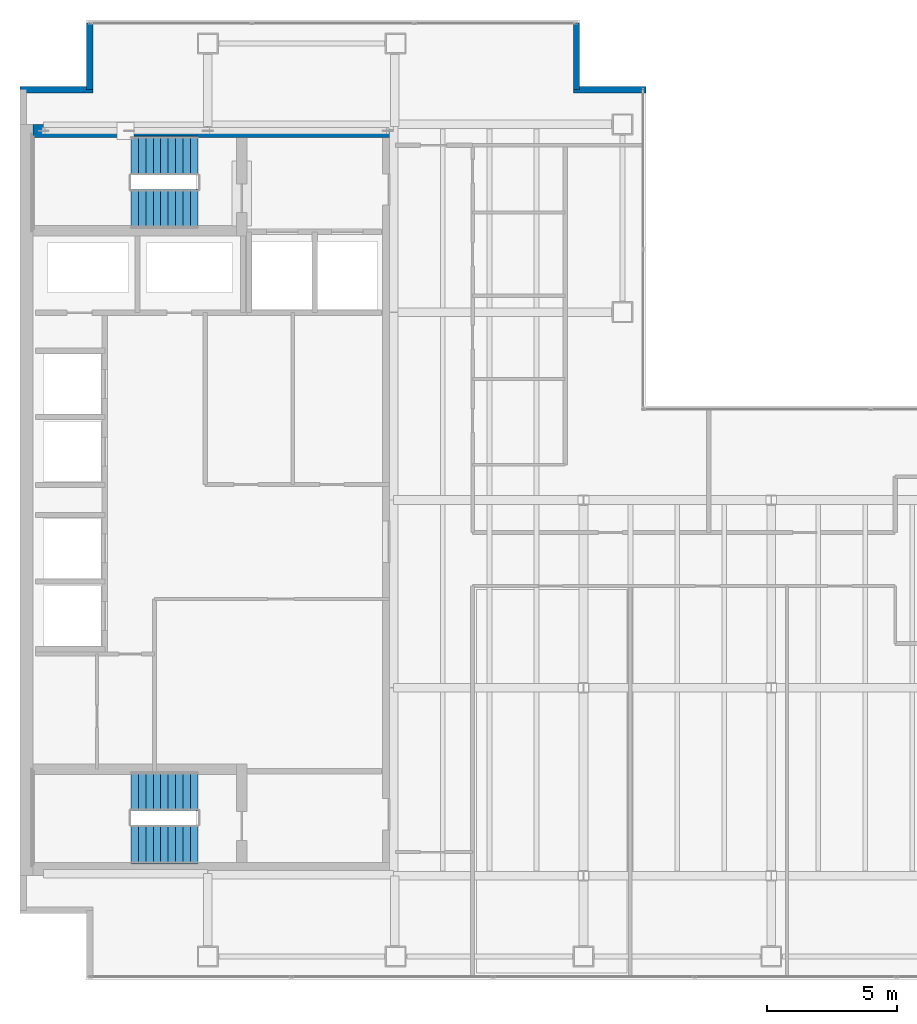
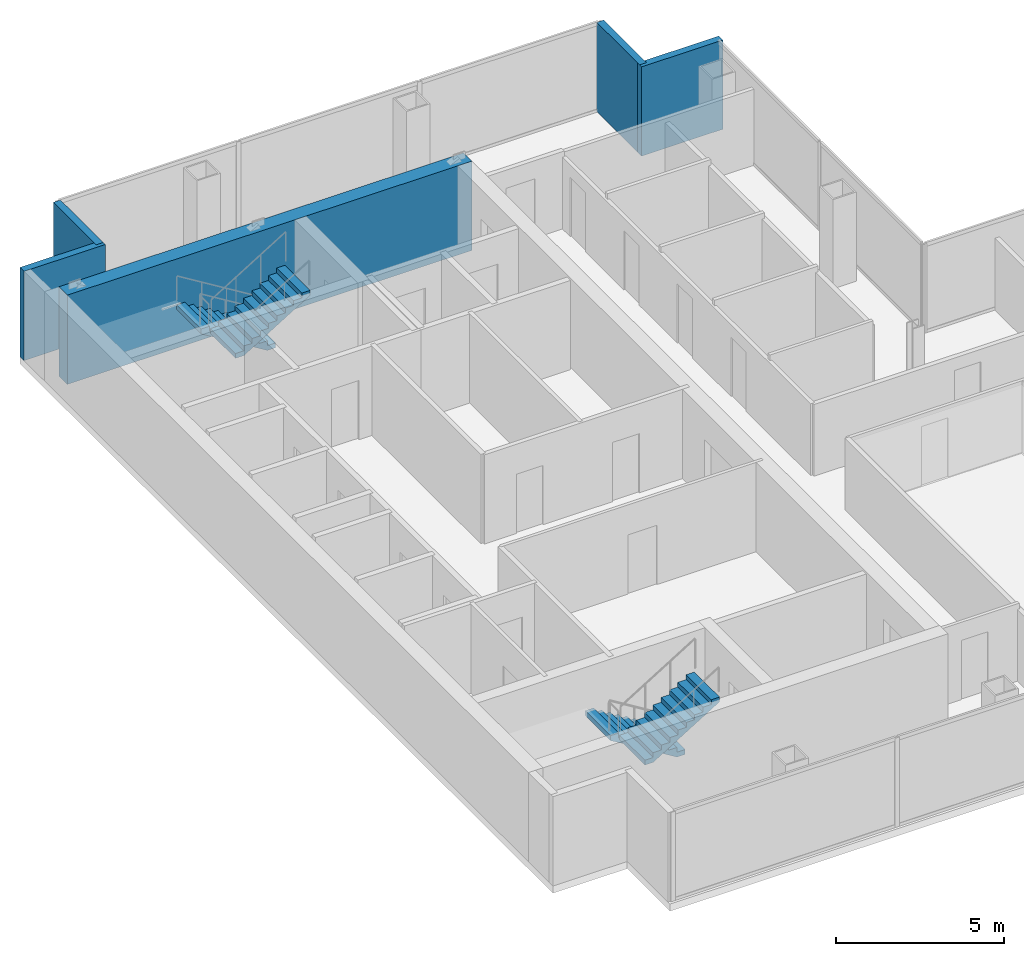
# One storey, part 22 of 23: 5 walls, 4 stair flights, 2 elements without a shape of their own.
"""IFC4 building model written with IfcOpenShell, lengths in metres."""

from ifc_helpers import new_model, si_unit, direction, frame, frame_2d, origin, place, context, subcontext, project, spatial, polyline, rectangle, outline, extrude, material, layer, layer_set, type_object, element, aggregate, save


model = new_model("IFC4")

# Units and contexts
model_context = context("Model", 3, precision=1e-05, world=origin(), true_north=direction((0.0, 1.0)))
body_context = subcontext(model_context, "Body", "Model", "MODEL_VIEW")
ifc_project = project(units=[si_unit("LENGTHUNIT", "METRE"), si_unit("AREAUNIT", "SQUARE_METRE"), si_unit("VOLUMEUNIT", "CUBIC_METRE"), si_unit("PLANEANGLEUNIT", "RADIAN"), si_unit("MASSUNIT", "GRAM", prefix="KILO")], contexts=[model_context])

# Site, building, storey
site_placement = place(None, origin())
site = spatial("IfcSite", under=ifc_project, at=site_placement, CompositionType="ELEMENT")
building_placement = place(site_placement, origin())
building = spatial("IfcBuilding", under=site, at=building_placement, Name="Cobrela Telecom Tower", CompositionType="ELEMENT")
storey_placement = place(building_placement, frame((0.0, 0.0, 187.25)))
storey = spatial("IfcBuildingStorey", under=building, at=storey_placement, Name="L47", CompositionType="ELEMENT", Elevation=187.25)

# Walls
ifc_material = material(Name="Concrete C40/50", Category="concrete")
ifc_layer_1 = layer(ifc_material, 0.5)
ifc_layer_set_1 = layer_set([ifc_layer_1], Name="Concrete C40/50")
wall_type_1 = type_object("IfcWallType", Name="WALL-CORE-C40-500", PredefinedType="SHEAR", material=ifc_layer_set_1)
wall_1_placement = place(storey_placement, frame((0.5, 35.75, 0.0), z_axis=(0.0, 0.0, 1.0), x_axis=(1.0, 0.0, 0.0)))
element("IfcWall", 1, at=wall_1_placement, inside=storey, type_object=wall_type_1, Name="L47 North Core Shear Wall", PredefinedType="SHEAR", context=body_context, shape_type="SweptSolid", body=[
    extrude(rectangle(XDim=13.89990234375, YDim=0.5, at=frame_2d((6.949951171875, 0.0))), origin(), (0.0, 0.0, 1.0), 3.239990234375),
])
ifc_layer_2 = layer(ifc_material, 0.239990234375)
ifc_layer_set_2 = layer_set([ifc_layer_2], Name="Concrete C40/50")
wall_type_2 = type_object("IfcWallType", Name="WALL-EXT-300", PredefinedType="STANDARD", material=ifc_layer_set_2)
wall_2_placement = place(storey_placement, frame((0.0, 37.330078125, 0.0), z_axis=(0.0, 0.0, 1.0), x_axis=(1.0, 0.0, 0.0)))
element("IfcWall", 2, at=wall_2_placement, inside=storey, type_object=wall_type_2, Name="L47 Insulated Facade Wall 05", PredefinedType="STANDARD", context=body_context, shape_type="SweptSolid", body=[
    extrude(rectangle(XDim=2.7900390625, YDim=0.239990234375, at=frame_2d((1.39501953125, 0.0))), origin(), (0.0, 0.0, 1.0), 3.239990234375),
])
for number, where, z_axis, x_axis, name in (
    (3, (2.669921875, 37.330078125, 0.0), (0.0, 0.0, 1.0), (0.0, 1.0, 0.0), "L47 Insulated Facade Wall 06"),
    (4, (21.330078125, 39.8798828125, 0.0), (0.0, 0.0, 1.0), (0.0, -1.0, 0.0), "L47 Insulated Facade Wall 08"),
):
    element("IfcWall", number, at=place(storey_placement, frame(where, z_axis=z_axis, x_axis=x_axis)), inside=storey, type_object=wall_type_2, Name=name, PredefinedType="STANDARD", context=body_context, shape_type="SweptSolid", body=[
        extrude(rectangle(XDim=2.5498046875, YDim=0.239990234375, at=frame_2d((1.27490234375, 0.0))), origin(), (0.0, 0.0, 1.0), 3.239990234375),
    ])
wall_3_placement = place(storey_placement, frame((21.2099609375, 37.330078125, 0.0), z_axis=(0.0, 0.0, 1.0), x_axis=(1.0, 0.0, 0.0)))
element("IfcWall", 5, at=wall_3_placement, inside=storey, type_object=wall_type_2, Name="L47 Insulated Facade Wall 09", PredefinedType="STANDARD", context=body_context, shape_type="SweptSolid", body=[
    extrude(rectangle(XDim=2.7900390625, YDim=0.239990234375, at=frame_2d((1.39501953125, 0.0))), origin(), (0.0, 0.0, 1.0), 3.239990234375),
])

# Stair, stair flights
stair_type = type_object("IfcStairType", Name="STAIR-CORE", PredefinedType="HALF_TURN_STAIR", material=ifc_material)
stair_1_placement = place(storey_placement, origin())
stair_1 = element("IfcStair", 6, at=stair_1_placement, inside=storey, type_object=stair_type, Name="L47 Smokeproof Exit Stair ST1", PredefinedType="HALF_TURN_STAIR")
stair_flight_type = type_object("IfcStairFlightType", Name="FLIGHT-CORE", PredefinedType="STRAIGHT", material=ifc_material)
stair_flight_1_placement = place(storey_placement, frame((6.820068359375, 34.800048828125, 0.0), z_axis=(0.0, 0.0, 1.0), x_axis=(-1.0, 0.0, 0.0)))
stair_flight_1 = element("IfcStairFlight", 7, at=stair_flight_1_placement, type_object=stair_flight_type, Name="ST1 flight 1", NumberOfRisers=10, NumberOfTreads=9, PredefinedType="STRAIGHT", RiserHeight=0.175, TreadLength=0.285, context=body_context, shape_type="SweptSolid", body=[
    extrude(outline(polyline([(0.0, 0.0), (0.0, 0.175048828125), (0.284912109375, 0.175048828125), (0.284912109375, 0.35009765625), (0.570068359375, 0.35009765625), (0.570068359375, 0.52490234375), (0.85498046875, 0.52490234375), (0.85498046875, 0.699951171875), (1.139892578125, 0.699951171875), (1.139892578125, 0.875), (1.425048828125, 0.875), (1.425048828125, 1.050048828125), (1.7099609375, 1.050048828125), (1.7099609375, 1.22509765625), (1.9951171875, 1.22509765625), (1.9951171875, 1.39990234375), (2.280029296875, 1.39990234375), (2.280029296875, 1.574951171875), (2.56494140625, 1.574951171875), (2.56494140625, 1.75), (2.56494140625, 1.399169921875), (0.286376953125, 0.0), (0.0, 0.0)])), frame((0.0, 0.75, 0.0), z_axis=(0.0, -1.0, 0.0), x_axis=(1.0, 0.0, 0.0)), (0.0, 0.0, 1.0), 1.5),
])
stair_flight_2_placement = place(storey_placement, frame((4.2548828125, 32.75, 1.75), z_axis=(0.0, 0.0, 1.0), x_axis=(1.0, 0.0, 0.0)))
stair_flight_2 = element("IfcStairFlight", 8, at=stair_flight_2_placement, type_object=stair_flight_type, Name="ST1 flight 2", NumberOfRisers=10, NumberOfTreads=9, PredefinedType="STRAIGHT", RiserHeight=0.175, TreadLength=0.285, context=body_context, shape_type="SweptSolid", body=[
    extrude(outline(polyline([(0.0, 0.0), (0.0, 0.175048828125), (0.284912109375, 0.175048828125), (0.284912109375, 0.35009765625), (0.570068359375, 0.35009765625), (0.570068359375, 0.52490234375), (0.85498046875, 0.52490234375), (0.85498046875, 0.699951171875), (1.139892578125, 0.699951171875), (1.139892578125, 0.875), (1.425048828125, 0.875), (1.425048828125, 1.050048828125), (1.7099609375, 1.050048828125), (1.7099609375, 1.22509765625), (1.9951171875, 1.22509765625), (1.9951171875, 1.39990234375), (2.280029296875, 1.39990234375), (2.280029296875, 1.574951171875), (2.56494140625, 1.574951171875), (2.56494140625, 1.75), (2.56494140625, 1.399169921875), (0.286376953125, 0.0), (0.0, 0.0)])), frame((0.0, 0.75, 0.0), z_axis=(0.0, -1.0, 0.0), x_axis=(1.0, 0.0, 0.0)), (0.0, 0.0, 1.0), 1.5),
])
aggregate(stair_1, [stair_flight_1, stair_flight_2])

stair_2_placement = place(storey_placement, origin())
stair_2 = element("IfcStair", 9, at=stair_2_placement, inside=storey, type_object=stair_type, Name="L47 Smokeproof Exit Stair ST2", PredefinedType="HALF_TURN_STAIR")
stair_flight_3_placement = place(storey_placement, frame((6.820068359375, 10.449951171875, 0.0), z_axis=(0.0, 0.0, 1.0), x_axis=(-1.0, 0.0, 0.0)))
stair_flight_3 = element("IfcStairFlight", 10, at=stair_flight_3_placement, type_object=stair_flight_type, Name="ST2 flight 1", NumberOfRisers=10, NumberOfTreads=9, PredefinedType="STRAIGHT", RiserHeight=0.175, TreadLength=0.285, context=body_context, shape_type="SweptSolid", body=[
    extrude(outline(polyline([(0.0, 0.0), (0.0, 0.175048828125), (0.284912109375, 0.175048828125), (0.284912109375, 0.35009765625), (0.570068359375, 0.35009765625), (0.570068359375, 0.52490234375), (0.85498046875, 0.52490234375), (0.85498046875, 0.699951171875), (1.139892578125, 0.699951171875), (1.139892578125, 0.875), (1.425048828125, 0.875), (1.425048828125, 1.050048828125), (1.7099609375, 1.050048828125), (1.7099609375, 1.22509765625), (1.9951171875, 1.22509765625), (1.9951171875, 1.39990234375), (2.280029296875, 1.39990234375), (2.280029296875, 1.574951171875), (2.56494140625, 1.574951171875), (2.56494140625, 1.75), (2.56494140625, 1.399169921875), (0.286376953125, 0.0), (0.0, 0.0)])), frame((0.0, 0.75, 0.0), z_axis=(0.0, -1.0, 0.0), x_axis=(1.0, 0.0, 0.0)), (0.0, 0.0, 1.0), 1.5),
])
stair_flight_4_placement = place(storey_placement, frame((4.2548828125, 8.39990234375, 1.75), z_axis=(0.0, 0.0, 1.0), x_axis=(1.0, 0.0, 0.0)))
stair_flight_4 = element("IfcStairFlight", 11, at=stair_flight_4_placement, type_object=stair_flight_type, Name="ST2 flight 2", NumberOfRisers=10, NumberOfTreads=9, PredefinedType="STRAIGHT", RiserHeight=0.175, TreadLength=0.285, context=body_context, shape_type="SweptSolid", body=[
    extrude(outline(polyline([(0.0, 0.0), (0.0, 0.175048828125), (0.284912109375, 0.175048828125), (0.284912109375, 0.35009765625), (0.570068359375, 0.35009765625), (0.570068359375, 0.52490234375), (0.85498046875, 0.52490234375), (0.85498046875, 0.699951171875), (1.139892578125, 0.699951171875), (1.139892578125, 0.875), (1.425048828125, 0.875), (1.425048828125, 1.050048828125), (1.7099609375, 1.050048828125), (1.7099609375, 1.22509765625), (1.9951171875, 1.22509765625), (1.9951171875, 1.39990234375), (2.280029296875, 1.39990234375), (2.280029296875, 1.574951171875), (2.56494140625, 1.574951171875), (2.56494140625, 1.75), (2.56494140625, 1.399169921875), (0.286376953125, 0.0), (0.0, 0.0)])), frame((0.0, 0.75, 0.0), z_axis=(0.0, -1.0, 0.0), x_axis=(1.0, 0.0, 0.0)), (0.0, 0.0, 1.0), 1.5),
])
aggregate(stair_2, [stair_flight_3, stair_flight_4])

save(model, "model.ifc")
